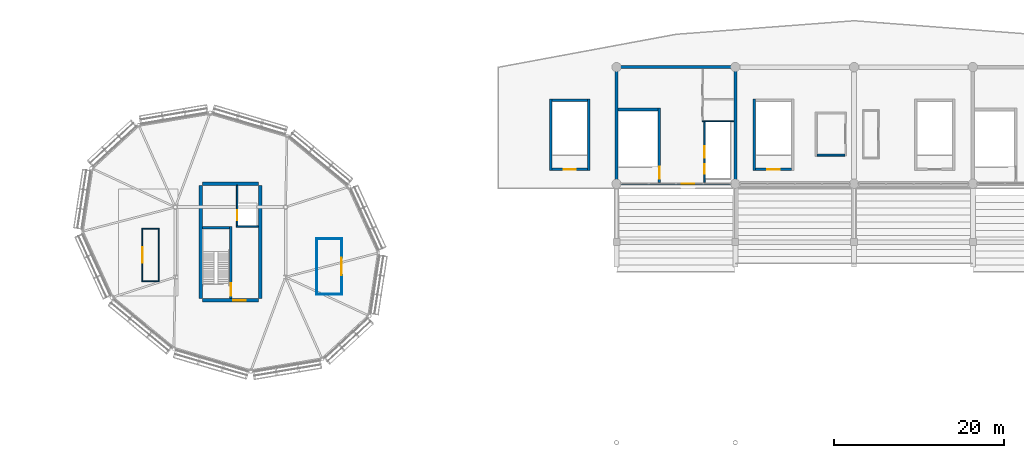
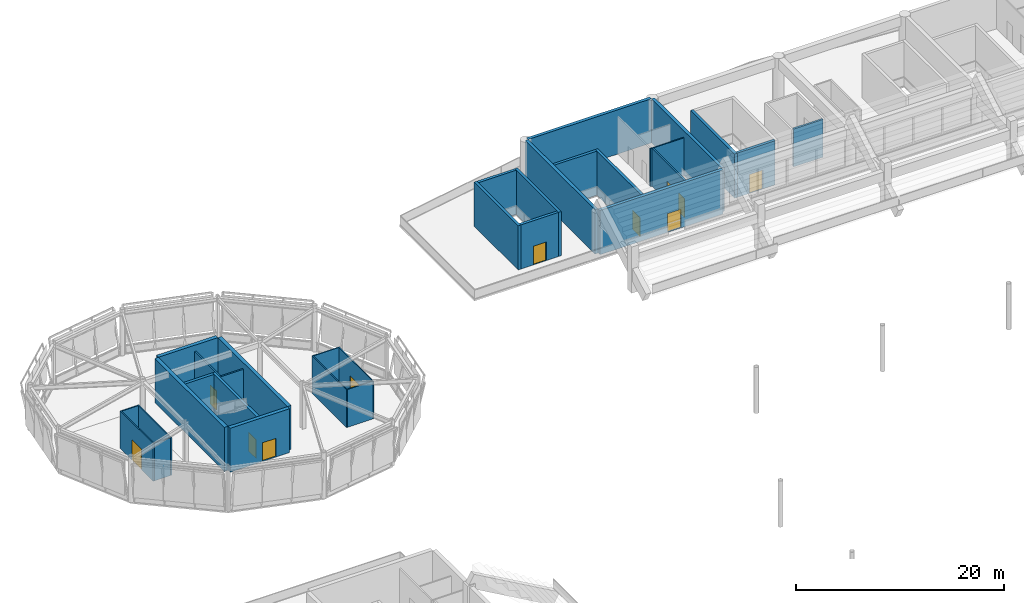
# One storey, part 76 of 90: 31 walls, 11 doors, 11 openings.
"""IFC4 building model written with IfcOpenShell, lengths in metres."""

from ifc_helpers import new_model, si_unit, direction, frame, frame_2d, origin, place, context, subcontext, project, spatial, rectangle, extrude, material, layer, layer_set, type_object, element, fill, save


model = new_model("IFC4")

# Units and contexts
model_context = context("Model", 3, precision=1e-05, world=origin(), true_north=direction((0.0, 1.0)))
body_context = subcontext(model_context, "Body", "Model", "MODEL_VIEW")
ifc_project = project(units=[si_unit("LENGTHUNIT", "METRE"), si_unit("AREAUNIT", "SQUARE_METRE"), si_unit("VOLUMEUNIT", "CUBIC_METRE"), si_unit("PLANEANGLEUNIT", "RADIAN"), si_unit("MASSUNIT", "GRAM", prefix="KILO")], contexts=[model_context])

# Site, building, storey
site_placement = place(None, origin())
site = spatial("IfcSite", under=ifc_project, at=site_placement, CompositionType="ELEMENT")
building_placement = place(site_placement, origin())
building = spatial("IfcBuilding", under=site, at=building_placement, Name="Linyun Crest Stadium", CompositionType="ELEMENT")
storey_placement = place(building_placement, frame((0.0, 0.0, 21.0)))
storey = spatial("IfcBuildingStorey", under=building, at=storey_placement, Name="L05", CompositionType="ELEMENT", Elevation=21.0)

# Walls
ifc_material_1 = material(Name="Concrete C50", Category="concrete")
ifc_layer_1 = layer(ifc_material_1, 0.35009765625)
ifc_layer_set_1 = layer_set([ifc_layer_1], Name="Concrete C50")
wall_type_1 = type_object("IfcWallType", Name="CW01", PredefinedType="SHEAR", material=ifc_layer_set_1)
for number, where, z_axis, x_axis, name in (
    (1, (-28.0, 91.675048828125, 0.0), (0.0, 0.0, 1.0), (0.0, 1.0, 0.0), "Core shear wall CW01 CORE-N1 L05.1"),
    (2, (-14.0, 91.675048828125, 0.0), (0.0, 0.0, 1.0), (0.0, 1.0, 0.0), "Core shear wall CW01 CORE-N1 L05.2"),
):
    element("IfcWall", number, at=place(storey_placement, frame(where, z_axis=z_axis, x_axis=x_axis)), inside=storey, type_object=wall_type_1, Name=name, PredefinedType="SHEAR", context=body_context, shape_type="SweptSolid", body=[
        extrude(rectangle(XDim=13.39990234375, YDim=0.35009765625, at=frame_2d((6.699951171875, 0.0))), origin(), (0.0, 0.0, 1.0), 5.18505859375),
    ])

# Wall, opening, door
wall_1_placement = place(storey_placement, frame((-27.824951171875, 91.5, 0.0), z_axis=(0.0, 0.0, 1.0), x_axis=(1.0, 0.0, 0.0)))
wall_1 = element("IfcWall", 3, at=wall_1_placement, inside=storey, type_object=wall_type_1, Name="Core shear wall CW01 CORE-N1 L05.3", PredefinedType="SHEAR", context=body_context, shape_type="SweptSolid", body=[
    extrude(rectangle(XDim=13.64990234375, YDim=0.35009765625, at=frame_2d((6.824951171875, 0.0))), origin(), (0.0, 0.0, 1.0), 5.18505859375),
])
opening_1_placement = place(wall_1_placement, frame((7.507080078125, 0.0, 0.0)))
opening_1 = element("IfcOpeningElement", 4, at=opening_1_placement, cuts=wall_1, Name="Opening D-L05-286", PredefinedType="OPENING", context=body_context, shape_type="SweptSolid", body=[
    extrude(rectangle(XDim=1.5, YDim=2.199951171875, at=frame_2d((0.75, 1.10009765625))), frame((0.0, 0.18505859375, 0.0), z_axis=(0.0, -1.0, 0.0), x_axis=(1.0, 0.0, 0.0)), (0.0, 0.0, 1.0), 0.3701171875),
])
ifc_material_2 = material(Name="Galvanized steel Class A fire door", Category="steel")
ifc_layer_2 = layer(ifc_material_2, 0.054931640625)
ifc_layer_set_2 = layer_set([ifc_layer_2], Name="Galvanized steel Class A fire door")
door_type_1 = type_object("IfcDoorType", Name="FD01", OperationType="NOTDEFINED", PredefinedType="DOOR", material=ifc_layer_set_2)
door_1_placement = place(opening_1_placement, origin())
door_1 = element("IfcDoor", 5, at=door_1_placement, inside=storey, type_object=door_type_1, Name="Door D-L05-286", OperationType="SINGLE_SWING_RIGHT", OverallHeight=2.199951171875, OverallWidth=1.5, PredefinedType="DOOR", context=body_context, shape_type="SweptSolid", body=[
    extrude(rectangle(XDim=1.5, YDim=2.199951171875, at=frame_2d((0.75, 1.10009765625))), frame((0.0, 0.02490234375, 0.0), z_axis=(0.0, -1.0, 0.0), x_axis=(1.0, 0.0, 0.0)), (0.0, 0.0, 1.0), 0.050048828125),
])
fill(opening_1, door_1)

# Walls
wall_2_placement = place(storey_placement, frame((-27.824951171875, 105.25, 0.0), z_axis=(0.0, 0.0, 1.0), x_axis=(1.0, 0.0, 0.0)))
element("IfcWall", 6, at=wall_2_placement, inside=storey, type_object=wall_type_1, Name="Core shear wall CW01 CORE-N1 L05.4", PredefinedType="SHEAR", context=body_context, shape_type="SweptSolid", body=[
    extrude(rectangle(XDim=13.64990234375, YDim=0.35009765625, at=frame_2d((6.824951171875, 0.0))), origin(), (0.0, 0.0, 1.0), 5.18505859375),
])
ifc_material_3 = material(Name="Concrete C50", Category="concrete")
ifc_layer_3 = layer(ifc_material_3, 0.39990234375)
ifc_layer_set_3 = layer_set([ifc_layer_3], Name="Concrete C50")
wall_type_2 = type_object("IfcWallType", Name="CW02", PredefinedType="SHEAR", material=ifc_layer_set_3)
for number, where, z_axis, x_axis, name in (
    (7, (-77.0, 77.949951171875, 0.0), (0.0, 0.0, 1.0), (0.0, 1.0, 0.0), "Core shear wall CW02 CORE-PNW L05.1"),
    (8, (-70.0, 77.949951171875, 0.0), (0.0, 0.0, 1.0), (0.0, 1.0, 0.0), "Core shear wall CW02 CORE-PNW L05.2"),
):
    element("IfcWall", number, at=place(storey_placement, frame(where, z_axis=z_axis, x_axis=x_axis)), inside=storey, type_object=wall_type_2, Name=name, PredefinedType="SHEAR", context=body_context, shape_type="SweptSolid", body=[
        extrude(rectangle(XDim=13.35009765625, YDim=0.39990234375, at=frame_2d((6.675048828125, 0.0))), origin(), (0.0, 0.0, 1.0), 5.14990234375),
    ])

# Wall, opening, door
wall_3_placement = place(storey_placement, frame((-76.800048828125, 77.75, 0.0), z_axis=(0.0, 0.0, 1.0), x_axis=(1.0, 0.0, 0.0)))
wall_3 = element("IfcWall", 9, at=wall_3_placement, inside=storey, type_object=wall_type_2, Name="Core shear wall CW02 CORE-PNW L05.3", PredefinedType="SHEAR", context=body_context, shape_type="SweptSolid", body=[
    extrude(rectangle(XDim=6.60009765625, YDim=0.39990234375, at=frame_2d((3.300048828125, 0.0))), origin(), (0.0, 0.0, 1.0), 5.14990234375),
])
opening_2_placement = place(wall_3_placement, frame((3.6298828125, 0.0, 0.0)))
opening_2 = element("IfcOpeningElement", 10, at=opening_2_placement, cuts=wall_3, Name="Opening D-L05-381", PredefinedType="OPENING", context=body_context, shape_type="SweptSolid", body=[
    extrude(rectangle(XDim=1.5, YDim=2.199951171875, at=frame_2d((0.75, 1.10009765625))), frame((0.0, 0.2099609375, 0.0), z_axis=(0.0, -1.0, 0.0), x_axis=(1.0, 0.0, 0.0)), (0.0, 0.0, 1.0), 0.419921875),
])
door_2_placement = place(opening_2_placement, origin())
door_2 = element("IfcDoor", 11, at=door_2_placement, inside=storey, type_object=door_type_1, Name="Door D-L05-381", OperationType="SINGLE_SWING_LEFT", OverallHeight=2.199951171875, OverallWidth=1.5, PredefinedType="DOOR", context=body_context, shape_type="SweptSolid", body=[
    extrude(rectangle(XDim=1.5, YDim=2.199951171875, at=frame_2d((0.75, 1.10009765625))), frame((0.0, 0.02490234375, 0.0), z_axis=(0.0, -1.0, 0.0), x_axis=(1.0, 0.0, 0.0)), (0.0, 0.0, 1.0), 0.050048828125),
])
fill(opening_2, door_2)

# Wall
wall_4_placement = place(storey_placement, frame((-76.800048828125, 91.5, 0.0), z_axis=(0.0, 0.0, 1.0), x_axis=(1.0, 0.0, 0.0)))
element("IfcWall", 12, at=wall_4_placement, inside=storey, type_object=wall_type_2, Name="Core shear wall CW02 CORE-PNW L05.4", PredefinedType="SHEAR", context=body_context, shape_type="SweptSolid", body=[
    extrude(rectangle(XDim=6.60009765625, YDim=0.39990234375, at=frame_2d((3.300048828125, 0.0))), origin(), (0.0, 0.0, 1.0), 5.14990234375),
])

# Wall, openings, doors
ifc_material_4 = material(Name="Autoclaved aerated concrete block fire partition", Category="concrete")
ifc_layer_4 = layer(ifc_material_4, 0.179931640625)
ifc_layer_set_4 = layer_set([ifc_layer_4], Name="Autoclaved aerated concrete block fire partition")
wall_type_3 = type_object("IfcWallType", Name="PW12", PredefinedType="PARTITIONING", material=ifc_layer_set_4)
wall_5_placement = place(storey_placement, frame((-17.64990234375, 91.675048828125, 0.0), z_axis=(0.0, 0.0, 1.0), x_axis=(0.0, 1.0, 0.0)))
wall_5 = element("IfcWall", 13, at=wall_5_placement, inside=storey, type_object=wall_type_3, Name="Partition PW12 L05 103", PredefinedType="PARTITIONING", context=body_context, shape_type="SweptSolid", body=[
    extrude(rectangle(XDim=7.10498046875, YDim=0.179931640625, at=frame_2d((3.552490234375, 0.0))), origin(), (0.0, 0.0, 1.0), 4.419921875),
])
opening_3_placement = place(wall_5_placement, frame((1.02490234375, 0.0, 0.0)))
opening_3 = element("IfcOpeningElement", 14, at=opening_3_placement, cuts=wall_5, Name="Opening LD095", PredefinedType="OPENING", context=body_context, shape_type="SweptSolid", body=[
    extrude(rectangle(XDim=1.10009765625, YDim=2.199951171875, at=frame_2d((0.550048828125, 1.10009765625))), frame((0.0, 0.099853515625, 0.0), z_axis=(0.0, -1.0, 0.0), x_axis=(1.0, 0.0, 0.0)), (0.0, 0.0, 1.0), 0.199951171875),
])
opening_4_placement = place(wall_5_placement, frame((2.875, 0.0, 0.0)))
opening_4 = element("IfcOpeningElement", 15, at=opening_4_placement, cuts=wall_5, Name="Opening LD096", PredefinedType="OPENING", context=body_context, shape_type="SweptSolid", body=[
    extrude(rectangle(XDim=1.39990234375, YDim=2.300048828125, at=frame_2d((0.699951171875, 1.14990234375))), frame((0.0, 0.099853515625, 0.0), z_axis=(0.0, -1.0, 0.0), x_axis=(1.0, 0.0, 0.0)), (0.0, 0.0, 1.0), 0.199951171875),
])
ifc_material_5 = material(Name="Brushed stainless sliding lift door")
ifc_layer_5 = layer(ifc_material_5, 0.050048828125)
ifc_layer_set_5 = layer_set([ifc_layer_5], Name="Brushed stainless sliding lift door")
door_type_2 = type_object("IfcDoorType", Name="LD01", OperationType="NOTDEFINED", PredefinedType="DOOR", material=ifc_layer_set_5)
door_3_placement = place(opening_3_placement, origin())
door_3 = element("IfcDoor", 16, at=door_3_placement, inside=storey, type_object=door_type_2, Name="Lift landing door LD095", OperationType="DOUBLE_DOOR_SLIDING", OverallHeight=2.199951171875, OverallWidth=1.10009765625, PredefinedType="DOOR", context=body_context, shape_type="SweptSolid", body=[
    extrude(rectangle(XDim=1.10009765625, YDim=2.199951171875, at=frame_2d((0.550048828125, 1.10009765625))), frame((0.0, 0.02490234375, 0.0), z_axis=(0.0, -1.0, 0.0), x_axis=(1.0, 0.0, 0.0)), (0.0, 0.0, 1.0), 0.050048828125),
])
fill(opening_3, door_3)
ifc_material_6 = material(Name="Heavy-duty stainless sliding door")
ifc_layer_6 = layer(ifc_material_6, 0.054931640625)
ifc_layer_set_6 = layer_set([ifc_layer_6], Name="Heavy-duty stainless sliding door")
door_type_3 = type_object("IfcDoorType", Name="LD03", OperationType="NOTDEFINED", PredefinedType="DOOR", material=ifc_layer_set_6)
door_4_placement = place(opening_4_placement, origin())
door_4 = element("IfcDoor", 17, at=door_4_placement, inside=storey, type_object=door_type_3, Name="Lift landing door LD096", OperationType="DOUBLE_DOOR_SLIDING", OverallHeight=2.300048828125, OverallWidth=1.39990234375, PredefinedType="DOOR", context=body_context, shape_type="SweptSolid", body=[
    extrude(rectangle(XDim=1.39990234375, YDim=2.300048828125, at=frame_2d((0.699951171875, 1.14990234375))), frame((0.0, 0.02490234375, 0.0), z_axis=(0.0, -1.0, 0.0), x_axis=(1.0, 0.0, 0.0)), (0.0, 0.0, 1.0), 0.050048828125),
])
fill(opening_4, door_4)

# Wall, opening, door
wall_6_placement = place(storey_placement, frame((-72.699951171875, 86.550048828125, 0.0), z_axis=(0.0, 0.0, 1.0), x_axis=(0.0, 1.0, 0.0)))
wall_6 = element("IfcWall", 18, at=wall_6_placement, inside=storey, type_object=wall_type_3, Name="Partition PW12 L05 136", PredefinedType="PARTITIONING", context=body_context, shape_type="SweptSolid", body=[
    extrude(rectangle(XDim=4.75, YDim=0.179931640625, at=frame_2d((2.375, 0.0))), origin(), (0.0, 0.0, 1.0), 4.419921875),
])
opening_5_placement = place(wall_6_placement, frame((0.64990234375, 0.0, 0.0)))
opening_5 = element("IfcOpeningElement", 19, at=opening_5_placement, cuts=wall_6, Name="Opening LD112", PredefinedType="OPENING", context=body_context, shape_type="SweptSolid", body=[
    extrude(rectangle(XDim=1.199951171875, YDim=2.25, at=frame_2d((0.60009765625, 1.125))), frame((0.0, 0.099853515625, 0.0), z_axis=(0.0, -1.0, 0.0), x_axis=(1.0, 0.0, 0.0)), (0.0, 0.0, 1.0), 0.199951171875),
])
ifc_material_7 = material(Name="Brushed stainless sliding lift door")
ifc_layer_7 = layer(ifc_material_7, 0.050048828125)
ifc_layer_set_7 = layer_set([ifc_layer_7], Name="Brushed stainless sliding lift door")
door_type_4 = type_object("IfcDoorType", Name="LD02", OperationType="NOTDEFINED", PredefinedType="DOOR", material=ifc_layer_set_7)
door_5_placement = place(opening_5_placement, origin())
door_5 = element("IfcDoor", 20, at=door_5_placement, inside=storey, type_object=door_type_4, Name="Lift landing door LD112", OperationType="DOUBLE_DOOR_SLIDING", OverallHeight=2.25, OverallWidth=1.199951171875, PredefinedType="DOOR", context=body_context, shape_type="SweptSolid", body=[
    extrude(rectangle(XDim=1.199951171875, YDim=2.25, at=frame_2d((0.60009765625, 1.125))), frame((0.0, 0.02490234375, 0.0), z_axis=(0.0, -1.0, 0.0), x_axis=(1.0, 0.0, 0.0)), (0.0, 0.0, 1.0), 0.050048828125),
])
fill(opening_5, door_5)

# Walls
wall_7_placement = place(storey_placement, frame((-72.7900390625, 86.4599609375, 0.0), z_axis=(0.0, 0.0, 1.0), x_axis=(1.0, 0.0, 0.0)))
element("IfcWall", 21, at=wall_7_placement, inside=storey, type_object=wall_type_3, Name="Enclosure partition PW12 L05 128", PredefinedType="PARTITIONING", context=body_context, shape_type="SweptSolid", body=[
    extrude(rectangle(XDim=2.590087890625, YDim=0.179931640625, at=frame_2d((1.294921875, 0.0))), origin(), (0.0, 0.0, 1.0), 4.419921875),
])
ifc_material_8 = material(Name="Moisture-resistant ceramic-tiled wet-room wall")
ifc_layer_8 = layer(ifc_material_8, 0.139892578125)
ifc_layer_set_8 = layer_set([ifc_layer_8], Name="Moisture-resistant ceramic-tiled wet-room wall")
wall_type_4 = type_object("IfcWallType", Name="PW15", PredefinedType="PARTITIONING", material=ifc_layer_set_8)
wall_8_placement = place(storey_placement, frame((-17.919921875, 98.85009765625, 0.0), z_axis=(0.0, 0.0, 1.0), x_axis=(1.0, 0.0, 0.0)))
element("IfcWall", 22, at=wall_8_placement, inside=storey, type_object=wall_type_4, Name="Enclosure partition PW15 L05 89", PredefinedType="PARTITIONING", context=body_context, shape_type="SweptSolid", body=[
    extrude(rectangle(XDim=3.744873046875, YDim=0.139892578125, at=frame_2d((1.87255859375, 0.0))), origin(), (0.0, 0.0, 1.0), 4.419921875),
])

# Wall, opening, door
ifc_material_9 = material(Name="Steel-stud hospitality suite partition", Category="steel")
ifc_layer_9 = layer(ifc_material_9, 0.125)
ifc_layer_set_9 = layer_set([ifc_layer_9], Name="Steel-stud hospitality suite partition")
wall_type_5 = type_object("IfcWallType", Name="PW17", PredefinedType="PARTITIONING", material=ifc_layer_set_9)
wall_9_placement = place(storey_placement, frame((-83.8720703125, 79.93896484375, 0.0), z_axis=(0.0, 0.0, 1.0), x_axis=(0.0, 1.0, 0.0)))
wall_9 = element("IfcWall", 23, at=wall_9_placement, inside=storey, type_object=wall_type_5, Name="Partition PW17 L05 236", PredefinedType="PARTITIONING", context=body_context, shape_type="SweptSolid", body=[
    extrude(rectangle(XDim=6.340087890625, YDim=0.125, at=frame_2d((3.169921875, 0.0))), origin(), (0.0, 0.0, 1.0), 4.419921875),
])
opening_6_placement = place(wall_9_placement, frame((2.2451171875, 0.0, 0.0)))
opening_6 = element("IfcOpeningElement", 24, at=opening_6_placement, cuts=wall_9, Name="Opening D-L05-499", PredefinedType="OPENING", context=body_context, shape_type="SweptSolid", body=[
    extrude(rectangle(XDim=1.85009765625, YDim=2.39990234375, at=frame_2d((0.925048828125, 1.199951171875))), frame((0.0, 0.072509765625, 0.0), z_axis=(0.0, -1.0, 0.0), x_axis=(1.0, 0.0, 0.0)), (0.0, 0.0, 1.0), 0.14501953125),
])
ifc_material_10 = material(Name="Double glazed timber-and-brass door", Category="wood")
ifc_layer_10 = layer(ifc_material_10, 0.054931640625)
ifc_layer_set_10 = layer_set([ifc_layer_10], Name="Double glazed timber-and-brass door")
door_type_5 = type_object("IfcDoorType", Name="ID06", OperationType="NOTDEFINED", PredefinedType="DOOR", material=ifc_layer_set_10)
door_6_placement = place(opening_6_placement, origin())
door_6 = element("IfcDoor", 25, at=door_6_placement, inside=storey, type_object=door_type_5, Name="Door D-L05-499", OperationType="DOUBLE_DOOR_SINGLE_SWING", OverallHeight=2.39990234375, OverallWidth=1.85009765625, PredefinedType="DOOR", context=body_context, shape_type="SweptSolid", body=[
    extrude(rectangle(XDim=1.85009765625, YDim=2.39990234375, at=frame_2d((0.925048828125, 1.199951171875))), frame((0.0, 0.02490234375, 0.0), z_axis=(0.0, -1.0, 0.0), x_axis=(1.0, 0.0, 0.0)), (0.0, 0.0, 1.0), 0.050048828125),
])
fill(opening_6, door_6)

# Walls
wall_10_placement = place(storey_placement, frame((-81.931884765625, 79.93896484375, 0.0), z_axis=(0.0, 0.0, 1.0), x_axis=(0.0, 1.0, 0.0)))
element("IfcWall", 26, at=wall_10_placement, inside=storey, type_object=wall_type_5, Name="Enclosure partition PW17 L05 424", PredefinedType="PARTITIONING", context=body_context, shape_type="SweptSolid", body=[
    extrude(rectangle(XDim=6.340087890625, YDim=0.125, at=frame_2d((3.169921875, 0.0))), origin(), (0.0, 0.0, 1.0), 4.419921875),
])
for number, where, z_axis, x_axis, name in (
    (27, (-83.80908203125, 80.001953125, 0.0), (0.0, 0.0, 1.0), (1.0, 0.0, 0.0), "Enclosure partition PW17 L05 425"),
    (28, (-83.80908203125, 86.216064453125, 0.0), (0.0, 0.0, 1.0), (1.0, 0.0, 0.0), "Enclosure partition PW17 L05 426"),
):
    element("IfcWall", number, at=place(storey_placement, frame(where, z_axis=z_axis, x_axis=x_axis)), inside=storey, type_object=wall_type_5, Name=name, PredefinedType="PARTITIONING", context=body_context, shape_type="SweptSolid", body=[
        extrude(rectangle(XDim=1.81396484375, YDim=0.125, at=frame_2d((0.906982421875, 0.0))), origin(), (0.0, 0.0, 1.0), 4.419921875),
    ])

# Wall, opening, door
ifc_material_11 = material(Name="Lightweight demountable office partition")
ifc_layer_11 = layer(ifc_material_11, 0.110107421875)
ifc_layer_set_11 = layer_set([ifc_layer_11], Name="Lightweight demountable office partition")
wall_type_6 = type_object("IfcWallType", Name="PW18", PredefinedType="PARTITIONING", material=ifc_layer_set_11)
wall_11_placement = place(storey_placement, frame((-60.39306640625, 85.06494140625, 0.0), z_axis=(0.0, 0.0, 1.0), x_axis=(0.0, -1.0, 0.0)))
wall_11 = element("IfcWall", 29, at=wall_11_placement, inside=storey, type_object=wall_type_6, Name="Partition PW18 L05 237", PredefinedType="PARTITIONING", context=body_context, shape_type="SweptSolid", body=[
    extrude(rectangle(XDim=6.6298828125, YDim=0.110107421875, at=frame_2d((3.31494140625, 0.0))), origin(), (0.0, 0.0, 1.0), 4.419921875),
])
opening_7_placement = place(wall_11_placement, frame((2.2900390625, 0.0, 0.0)))
opening_7 = element("IfcOpeningElement", 30, at=opening_7_placement, cuts=wall_11, Name="Opening D-L05-500", PredefinedType="OPENING", context=body_context, shape_type="SweptSolid", body=[
    extrude(rectangle(XDim=2.050048828125, YDim=2.39990234375, at=frame_2d((1.02490234375, 1.199951171875))), frame((0.0, 0.06494140625, 0.0), z_axis=(0.0, -1.0, 0.0), x_axis=(1.0, 0.0, 0.0)), (0.0, 0.0, 1.0), 0.130126953125),
])
ifc_material_12 = material(Name="Double-leaf glazed aluminium door", Category="aluminium")
ifc_layer_12 = layer(ifc_material_12, 0.054931640625)
ifc_layer_set_12 = layer_set([ifc_layer_12], Name="Double-leaf glazed aluminium door")
door_type_6 = type_object("IfcDoorType", Name="ID07", OperationType="NOTDEFINED", PredefinedType="DOOR", material=ifc_layer_set_12)
door_7_placement = place(opening_7_placement, origin())
door_7 = element("IfcDoor", 31, at=door_7_placement, inside=storey, type_object=door_type_6, Name="Door D-L05-500", OperationType="DOUBLE_DOOR_SINGLE_SWING", OverallHeight=2.39990234375, OverallWidth=2.050048828125, PredefinedType="DOOR", context=body_context, shape_type="SweptSolid", body=[
    extrude(rectangle(XDim=2.050048828125, YDim=2.39990234375, at=frame_2d((1.02490234375, 1.199951171875))), frame((0.0, 0.02490234375, 0.0), z_axis=(0.0, -1.0, 0.0), x_axis=(1.0, 0.0, 0.0)), (0.0, 0.0, 1.0), 0.050048828125),
])
fill(opening_7, door_7)

# Walls
wall_12_placement = place(storey_placement, frame((-63.31298828125, 78.43505859375, 0.0), z_axis=(0.0, 0.0, 1.0), x_axis=(0.0, 1.0, 0.0)))
element("IfcWall", 32, at=wall_12_placement, inside=storey, type_object=wall_type_6, Name="Enclosure partition PW18 L05 427", PredefinedType="PARTITIONING", context=body_context, shape_type="SweptSolid", body=[
    extrude(rectangle(XDim=6.6298828125, YDim=0.110107421875, at=frame_2d((3.31494140625, 0.0))), origin(), (0.0, 0.0, 1.0), 4.419921875),
])
for number, where, z_axis, x_axis, name in (
    (33, (-63.258056640625, 78.489990234375, 0.0), (0.0, 0.0, 1.0), (1.0, 0.0, 0.0), "Enclosure partition PW18 L05 428"),
    (34, (-63.258056640625, 85.010009765625, 0.0), (0.0, 0.0, 1.0), (1.0, 0.0, 0.0), "Enclosure partition PW18 L05 429"),
):
    element("IfcWall", number, at=place(storey_placement, frame(where, z_axis=z_axis, x_axis=x_axis)), inside=storey, type_object=wall_type_6, Name=name, PredefinedType="PARTITIONING", context=body_context, shape_type="SweptSolid", body=[
        extrude(rectangle(XDim=2.81005859375, YDim=0.110107421875, at=frame_2d((1.405029296875, 0.0))), origin(), (0.0, 0.0, 1.0), 4.419921875),
    ])
ifc_material_13 = material(Name="Kitchen hood and service riser enclosure wall")
ifc_layer_13 = layer(ifc_material_13, 0.2099609375)
ifc_layer_set_13 = layer_set([ifc_layer_13], Name="Kitchen hood and service riser enclosure wall")
wall_type_7 = type_object("IfcWallType", Name="PW26", PredefinedType="PARTITIONING", material=ifc_layer_set_13)
wall_13_placement = place(storey_placement, frame((-4.37109375, 94.875, 0.0), z_axis=(0.0, 0.0, 1.0), x_axis=(1.0, 0.0, 0.0)))
element("IfcWall", 35, at=wall_13_placement, inside=storey, type_object=wall_type_7, Name="Enclosure partition PW26 L05 419", PredefinedType="PARTITIONING", context=body_context, shape_type="SweptSolid", body=[
    extrude(rectangle(XDim=3.27001953125, YDim=0.2099609375, at=frame_2d((1.635009765625, 0.0))), origin(), (0.0, 0.0, 1.0), 4.419921875),
])

# Wall, opening, door
ifc_material_14 = material(Name="Concrete C50", Category="concrete")
ifc_layer_14 = layer(ifc_material_14, 0.300048828125)
ifc_layer_set_14 = layer_set([ifc_layer_14], Name="Concrete C50")
wall_type_8 = type_object("IfcWallType", Name="SW01", PredefinedType="SHEAR", material=ifc_layer_set_14)
wall_14_placement = place(storey_placement, frame((-22.949951171875, 91.675048828125, 0.0), z_axis=(0.0, 0.0, 1.0), x_axis=(0.0, 1.0, 0.0)))
wall_14 = element("IfcWall", 36, at=wall_14_placement, inside=storey, type_object=wall_type_8, Name="Core stair east bearing wall SW01 7 L05", PredefinedType="SHEAR", context=body_context, shape_type="SweptSolid", body=[
    extrude(rectangle(XDim=8.724853515625, YDim=0.300048828125, at=frame_2d((4.3623046875, 0.0))), origin(), (0.0, 0.0, 1.0), 5.18505859375),
])
opening_8_placement = place(wall_14_placement, frame((0.39501953125, 0.0, 0.0)))
opening_8 = element("IfcOpeningElement", 37, at=opening_8_placement, cuts=wall_14, Name="Opening D-L05-287", PredefinedType="OPENING", context=body_context, shape_type="SweptSolid", body=[
    extrude(rectangle(XDim=1.449951171875, YDim=2.199951171875, at=frame_2d((0.72509765625, 1.10009765625))), frame((0.0, 0.159912109375, 0.0), z_axis=(0.0, -1.0, 0.0), x_axis=(1.0, 0.0, 0.0)), (0.0, 0.0, 1.0), 0.320068359375),
])
ifc_material_15 = material(Name="Galvanized steel Class A fire door", Category="steel")
ifc_layer_15 = layer(ifc_material_15, 0.054931640625)
ifc_layer_set_15 = layer_set([ifc_layer_15], Name="Galvanized steel Class A fire door")
door_type_7 = type_object("IfcDoorType", Name="FD02", OperationType="NOTDEFINED", PredefinedType="DOOR", material=ifc_layer_set_15)
door_8_placement = place(opening_8_placement, origin())
door_8 = element("IfcDoor", 38, at=door_8_placement, inside=storey, type_object=door_type_7, Name="Door D-L05-287", OperationType="SINGLE_SWING_LEFT", OverallHeight=2.199951171875, OverallWidth=1.449951171875, PredefinedType="DOOR", context=body_context, shape_type="SweptSolid", body=[
    extrude(rectangle(XDim=1.449951171875, YDim=2.199951171875, at=frame_2d((0.72509765625, 1.10009765625))), frame((0.0, 0.02490234375, 0.0), z_axis=(0.0, -1.0, 0.0), x_axis=(1.0, 0.0, 0.0)), (0.0, 0.0, 1.0), 0.050048828125),
])
fill(opening_8, door_8)

wall_15_placement = place(storey_placement, frame((-73.449951171875, 77.949951171875, 0.0), z_axis=(0.0, 0.0, 1.0), x_axis=(0.0, 1.0, 0.0)))
wall_15 = element("IfcWall", 39, at=wall_15_placement, inside=storey, type_object=wall_type_8, Name="Core stair east bearing wall SW01 11 L05", PredefinedType="SHEAR", context=body_context, shape_type="SweptSolid", body=[
    extrude(rectangle(XDim=8.5, YDim=0.300048828125, at=frame_2d((4.25, 0.0))), origin(), (0.0, 0.0, 1.0), 5.14990234375),
])
opening_9_placement = place(wall_15_placement, frame((0.3701171875, 0.0, 0.0)))
opening_9 = element("IfcOpeningElement", 40, at=opening_9_placement, cuts=wall_15, Name="Opening D-L05-382", PredefinedType="OPENING", context=body_context, shape_type="SweptSolid", body=[
    extrude(rectangle(XDim=1.449951171875, YDim=2.199951171875, at=frame_2d((0.72509765625, 1.10009765625))), frame((0.0, 0.159912109375, 0.0), z_axis=(0.0, -1.0, 0.0), x_axis=(1.0, 0.0, 0.0)), (0.0, 0.0, 1.0), 0.320068359375),
])
door_9_placement = place(opening_9_placement, origin())
door_9 = element("IfcDoor", 41, at=door_9_placement, inside=storey, type_object=door_type_7, Name="Door D-L05-382", OperationType="SINGLE_SWING_RIGHT", OverallHeight=2.199951171875, OverallWidth=1.449951171875, PredefinedType="DOOR", context=body_context, shape_type="SweptSolid", body=[
    extrude(rectangle(XDim=1.449951171875, YDim=2.199951171875, at=frame_2d((0.72509765625, 1.10009765625))), frame((0.0, 0.02490234375, 0.0), z_axis=(0.0, -1.0, 0.0), x_axis=(1.0, 0.0, 0.0)), (0.0, 0.0, 1.0), 0.050048828125),
])
fill(opening_9, door_9)

# Walls
wall_16_placement = place(storey_placement, frame((-27.824951171875, 100.25, 0.0), z_axis=(0.0, 0.0, 1.0), x_axis=(1.0, 0.0, 0.0)))
element("IfcWall", 42, at=wall_16_placement, inside=storey, type_object=wall_type_8, Name="Core stair bearing wall SW01 7 L05", PredefinedType="SHEAR", context=body_context, shape_type="SweptSolid", body=[
    extrude(rectangle(XDim=4.724853515625, YDim=0.300048828125, at=frame_2d((2.3623046875, 0.0))), origin(), (0.0, 0.0, 1.0), 5.18505859375),
])
wall_17_placement = place(storey_placement, frame((-76.800048828125, 86.300048828125, 0.0), z_axis=(0.0, 0.0, 1.0), x_axis=(1.0, 0.0, 0.0)))
element("IfcWall", 43, at=wall_17_placement, inside=storey, type_object=wall_type_8, Name="Core stair bearing wall SW01 11 L05", PredefinedType="SHEAR", context=body_context, shape_type="SweptSolid", body=[
    extrude(rectangle(XDim=3.199951171875, YDim=0.300048828125, at=frame_2d((1.60009765625, 0.0))), origin(), (0.0, 0.0, 1.0), 5.14990234375),
])

# Wall, opening, door
wall_18_placement = place(storey_placement, frame((-35.60009765625, 93.199951171875, 0.0), z_axis=(0.0, 0.0, 1.0), x_axis=(1.0, 0.0, 0.0)))
wall_18 = element("IfcWall", 44, at=wall_18_placement, inside=storey, type_object=wall_type_8, Name="Stair shaft wall SW01 STR-23 L05 S", PredefinedType="SHEAR", context=body_context, shape_type="SweptSolid", body=[
    extrude(rectangle(XDim=4.2001953125, YDim=0.300048828125, at=frame_2d((2.10009765625, 0.0))), origin(), (0.0, 0.0, 1.0), 5.18505859375),
])
opening_10_placement = place(wall_18_placement, frame((1.375, 0.0, 0.0)))
opening_10 = element("IfcOpeningElement", 45, at=opening_10_placement, cuts=wall_18, Name="Opening D-L05-599", PredefinedType="OPENING", context=body_context, shape_type="SweptSolid", body=[
    extrude(rectangle(XDim=1.449951171875, YDim=2.199951171875, at=frame_2d((0.72509765625, 1.10009765625))), frame((0.0, 0.159912109375, 0.0), z_axis=(0.0, -1.0, 0.0), x_axis=(1.0, 0.0, 0.0)), (0.0, 0.0, 1.0), 0.320068359375),
])
door_10_placement = place(opening_10_placement, origin())
door_10 = element("IfcDoor", 46, at=door_10_placement, inside=storey, type_object=door_type_7, Name="Door D-L05-599", OperationType="SINGLE_SWING_LEFT", OverallHeight=2.199951171875, OverallWidth=1.449951171875, PredefinedType="DOOR", context=body_context, shape_type="SweptSolid", body=[
    extrude(rectangle(XDim=1.449951171875, YDim=2.199951171875, at=frame_2d((0.72509765625, 1.10009765625))), frame((0.0, 0.02490234375, 0.0), z_axis=(0.0, -1.0, 0.0), x_axis=(1.0, 0.0, 0.0)), (0.0, 0.0, 1.0), 0.050048828125),
])
fill(opening_10, door_10)

# Walls
wall_19_placement = place(storey_placement, frame((-35.60009765625, 101.35009765625, 0.0), z_axis=(0.0, 0.0, 1.0), x_axis=(1.0, 0.0, 0.0)))
element("IfcWall", 47, at=wall_19_placement, inside=storey, type_object=wall_type_8, Name="Stair shaft wall SW01 STR-23 L05 N", PredefinedType="SHEAR", context=body_context, shape_type="SweptSolid", body=[
    extrude(rectangle(XDim=4.2001953125, YDim=0.300048828125, at=frame_2d((2.10009765625, 0.0))), origin(), (0.0, 0.0, 1.0), 5.18505859375),
])
for number, where, z_axis, x_axis, name in (
    (48, (-35.75, 93.050048828125, 0.0), (0.0, 0.0, 1.0), (0.0, 1.0, 0.0), "Stair shaft wall SW01 STR-23 L05 W"),
    (49, (-31.25, 93.050048828125, 0.0), (0.0, 0.0, 1.0), (0.0, 1.0, 0.0), "Stair shaft wall SW01 STR-23 L05 E"),
):
    element("IfcWall", number, at=place(storey_placement, frame(where, z_axis=z_axis, x_axis=x_axis)), inside=storey, type_object=wall_type_8, Name=name, PredefinedType="SHEAR", context=body_context, shape_type="SweptSolid", body=[
        extrude(rectangle(XDim=8.449951171875, YDim=0.300048828125, at=frame_2d((4.22509765625, 0.0))), origin(), (0.0, 0.0, 1.0), 5.18505859375),
    ])

# Wall, opening, door
wall_20_placement = place(storey_placement, frame((-11.60009765625, 93.199951171875, 0.0), z_axis=(0.0, 0.0, 1.0), x_axis=(1.0, 0.0, 0.0)))
wall_20 = element("IfcWall", 50, at=wall_20_placement, inside=storey, type_object=wall_type_8, Name="Stair shaft wall SW01 STR-24 L05 S", PredefinedType="SHEAR", context=body_context, shape_type="SweptSolid", body=[
    extrude(rectangle(XDim=4.2001953125, YDim=0.300048828125, at=frame_2d((2.10009765625, 0.0))), origin(), (0.0, 0.0, 1.0), 5.18505859375),
])
opening_11_placement = place(wall_20_placement, frame((1.375, 0.0, 0.0)))
opening_11 = element("IfcOpeningElement", 51, at=opening_11_placement, cuts=wall_20, Name="Opening D-L05-604", PredefinedType="OPENING", context=body_context, shape_type="SweptSolid", body=[
    extrude(rectangle(XDim=1.449951171875, YDim=2.199951171875, at=frame_2d((0.72509765625, 1.10009765625))), frame((0.0, 0.159912109375, 0.0), z_axis=(0.0, -1.0, 0.0), x_axis=(1.0, 0.0, 0.0)), (0.0, 0.0, 1.0), 0.320068359375),
])
door_11_placement = place(opening_11_placement, origin())
door_11 = element("IfcDoor", 52, at=door_11_placement, inside=storey, type_object=door_type_7, Name="Door D-L05-604", OperationType="SINGLE_SWING_RIGHT", OverallHeight=2.199951171875, OverallWidth=1.449951171875, PredefinedType="DOOR", context=body_context, shape_type="SweptSolid", body=[
    extrude(rectangle(XDim=1.449951171875, YDim=2.199951171875, at=frame_2d((0.72509765625, 1.10009765625))), frame((0.0, 0.02490234375, 0.0), z_axis=(0.0, -1.0, 0.0), x_axis=(1.0, 0.0, 0.0)), (0.0, 0.0, 1.0), 0.050048828125),
])
fill(opening_11, door_11)

# Wall
wall_21_placement = place(storey_placement, frame((-11.75, 93.050048828125, 0.0), z_axis=(0.0, 0.0, 1.0), x_axis=(0.0, 1.0, 0.0)))
element("IfcWall", 53, at=wall_21_placement, inside=storey, type_object=wall_type_8, Name="Stair shaft wall SW01 STR-24 L05 W", PredefinedType="SHEAR", context=body_context, shape_type="SweptSolid", body=[
    extrude(rectangle(XDim=8.449951171875, YDim=0.300048828125, at=frame_2d((4.22509765625, 0.0))), origin(), (0.0, 0.0, 1.0), 5.18505859375),
])

save(model, "model.ifc")
